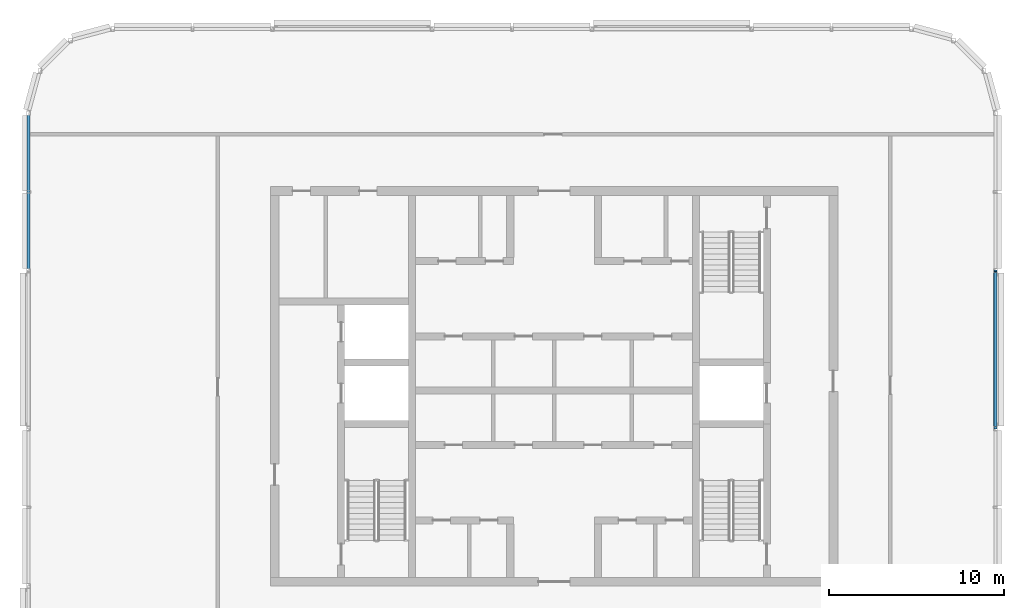
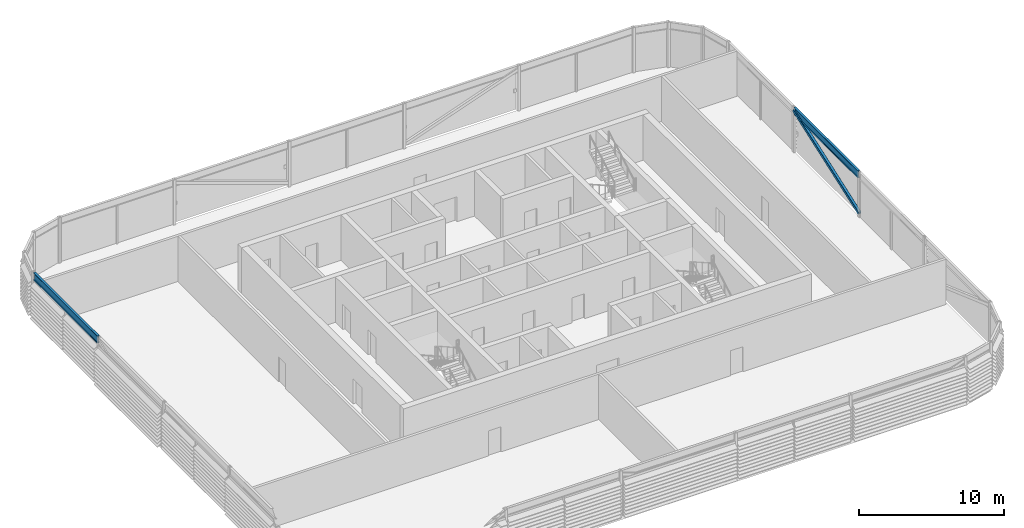
# One storey, part 10 of 28: 2 beams, 1 member.
"""IFC4 building model written with IfcOpenShell, lengths in metres."""

from ifc_helpers import new_model, si_unit, direction, frame, origin, origin_2d, place, context, subcontext, project, spatial, hollow_rectangle, i_section, extrude, material, material_profile, profile_set, type_object, element, save


model = new_model("IFC4")

# Units and contexts
model_context = context("Model", 3, precision=1e-05, world=origin(), true_north=direction((0.0, 1.0)))
body_context = subcontext(model_context, "Body", "Model", "MODEL_VIEW")
ifc_project = project(units=[si_unit("LENGTHUNIT", "METRE"), si_unit("AREAUNIT", "SQUARE_METRE"), si_unit("VOLUMEUNIT", "CUBIC_METRE"), si_unit("PLANEANGLEUNIT", "RADIAN"), si_unit("MASSUNIT", "GRAM", prefix="KILO")], contexts=[model_context])

# Site, building, storey
site_placement = place(None, origin())
site = spatial("IfcSite", under=ifc_project, at=site_placement, CompositionType="ELEMENT")
building_placement = place(site_placement, origin())
building = spatial("IfcBuilding", under=site, at=building_placement, Name="Madar Terraces", CompositionType="ELEMENT")
storey_placement = place(building_placement, frame((0.0, 0.0, 310.10009765625)))
storey = spatial("IfcBuildingStorey", under=building, at=storey_placement, Name="L80", CompositionType="ELEMENT", Elevation=310.10009765625)

# Beams
ifc_material_1 = material(Name="Steel ASTM A992 Grade 50", Category="steel")
ifc_material_profile_1 = material_profile(ifc_material_1, i_section(OverallWidth=0.1787109375, OverallDepth=0.60205078125, WebThickness=0.010986328125, FlangeThickness=0.014892578125, at=origin_2d()), Name="W24x62")
ifc_profile_set_1 = profile_set([ifc_material_profile_1], Name="Steel ASTM A992 Grade 50")
beam_type = type_object("IfcBeamType", Name="CF2 W24x62", PredefinedType="BEAM", material=ifc_profile_set_1)
for number, where, z_axis, x_axis, name in (
    (1, (56.39990234375, 24.1015625, 3.4990234375), (0.0, 1.0, 0.0), (-1.0, 0.0, 0.0), "Crown frame ring beam CF2"),
    (2, (1.199951171875, 41.8984375, 3.4990234375), (0.0, -1.0, 0.0), (1.0, 0.0, 0.0), "Crown frame ring beam CF2"),
):
    element("IfcBeam", number, at=place(storey_placement, frame(where, z_axis=z_axis, x_axis=x_axis)), inside=storey, type_object=beam_type, Name=name, PredefinedType="BEAM", context=body_context, shape_type="SweptSolid", body=[
        extrude(i_section(OverallWidth=0.1787109375, OverallDepth=0.60205078125, WebThickness=0.010986328125, FlangeThickness=0.014892578125, at=origin_2d()), origin(), (0.0, 0.0, 1.0), 8.796875),
    ])

# Member
ifc_material_2 = material(Name="Steel ASTM A500 Grade C", Category="steel")
ifc_material_profile_2 = material_profile(ifc_material_2, hollow_rectangle(XDim=0.203125, YDim=0.25390625, WallThickness=0.009521484375, InnerFilletRadius=0.00439453125, OuterFilletRadius=0.01318359375, at=origin_2d()), Name="HSS10x8x.375")
ifc_profile_set_2 = profile_set([ifc_material_profile_2], Name="Steel ASTM A500 Grade C")
member_type = type_object("IfcMemberType", Name="CF5 crown frame brace HSS10x8x.375", PredefinedType="BRACE", material=ifc_profile_set_2)
member_placement = place(storey_placement, frame((56.39990234375, 24.0, 0.2998046875), z_axis=(0.0, 0.942240505119, 0.334937054554), x_axis=(-1.0, 0.0, 0.0)))
element("IfcMember", 3, at=member_placement, inside=storey, type_object=member_type, Name="Crown frame brace CF5", PredefinedType="BRACE", context=body_context, shape_type="SweptSolid", body=[
    extrude(hollow_rectangle(XDim=0.203125, YDim=0.25390625, WallThickness=0.009521484375, InnerFilletRadius=0.00439453125, OuterFilletRadius=0.01318359375, at=origin_2d()), origin(), (0.0, 0.0, 1.0), 9.5517578125),
])

save(model, "model.ifc")
